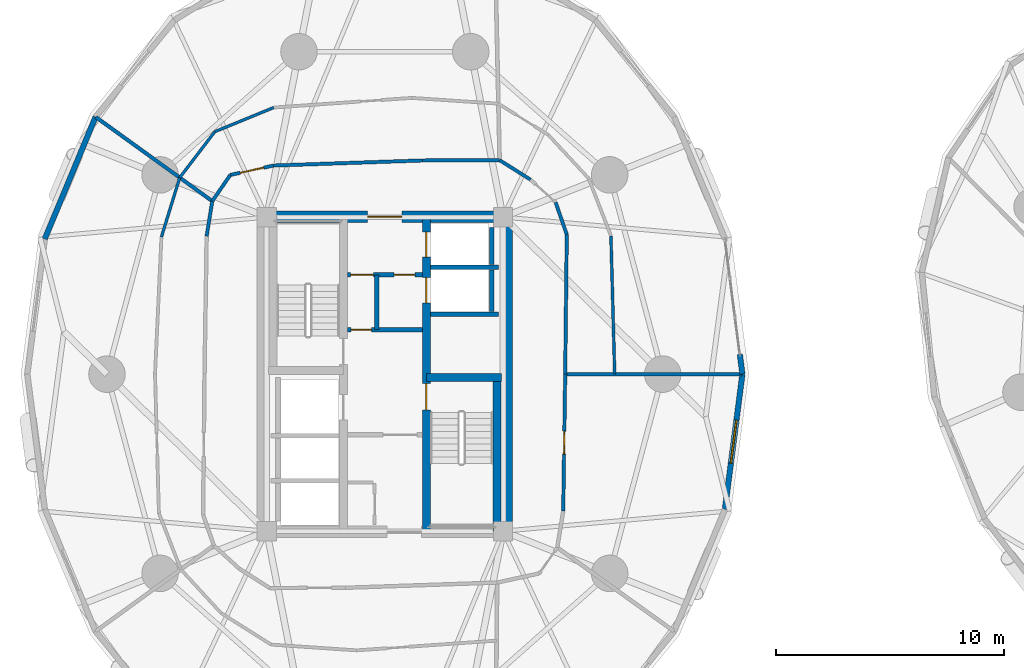
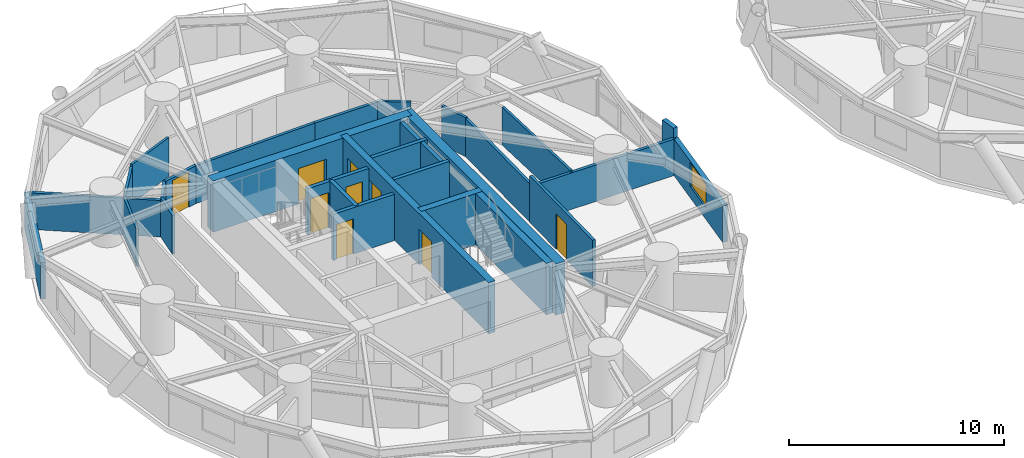
# One storey, part 10 of 17: 30 walls, 9 doors, 1 window, 10 openings.
"""IFC4 building model written with IfcOpenShell, lengths in metres."""

from ifc_helpers import new_model, si_unit, direction, frame, frame_2d, origin, place, context, subcontext, project, spatial, rectangle, extrude, source, transform, mapped, material, layer, layer_set, type_object, element, fill, save


model = new_model("IFC4")

# Units and contexts
model_context = context("Model", 3, precision=1e-05, world=origin(), true_north=direction((0.0, 1.0)))
body_context = subcontext(model_context, "Body", "Model", "MODEL_VIEW")
ifc_project = project(units=[si_unit("LENGTHUNIT", "METRE"), si_unit("AREAUNIT", "SQUARE_METRE"), si_unit("VOLUMEUNIT", "CUBIC_METRE"), si_unit("PLANEANGLEUNIT", "RADIAN"), si_unit("MASSUNIT", "GRAM", prefix="KILO")], contexts=[model_context])

# Site, building, storey
site_placement = place(None, origin())
site = spatial("IfcSite", under=ifc_project, at=site_placement, CompositionType="ELEMENT")
building_placement = place(site_placement, origin())
building = spatial("IfcBuilding", under=site, at=building_placement, Name="Cununo Teusaquillo Station Towers", CompositionType="ELEMENT")
storey_placement = place(building_placement, frame((0.0, 0.0, 59.830078125)))
storey = spatial("IfcBuildingStorey", under=building, at=storey_placement, Name="L18", CompositionType="ELEMENT", Elevation=59.830078125)

# Walls
ifc_material_1 = material(Name="Concrete C50/60", Category="concrete")
ifc_layer_1 = layer(ifc_material_1, 0.199951171875)
ifc_layer_set_1 = layer_set([ifc_layer_1], Name="Concrete C50/60")
wall_type_1 = type_object("IfcWallType", Name="WL-CORE-200", PredefinedType="SHEAR", material=ifc_layer_set_1)
for number, where, z_axis, x_axis, name in (
    (1, (18.510009765625, 27.1298828125, 0.0), (0.0, 0.0, 1.0), (1.0, 0.0, 0.0), "L18 Tower A Low-Rise Lift Hoistway South Shear Wall"),
    (2, (18.510009765625, 29.175048828125, 0.0), (0.0, 0.0, 1.0), (1.0, 0.0, 0.0), "L18 Tower A Low-Rise Lift Hoistway Divider Shear Wall"),
):
    element("IfcWall", number, at=place(storey_placement, frame(where, z_axis=z_axis, x_axis=x_axis)), inside=storey, type_object=wall_type_1, Name=name, PredefinedType="SHEAR", context=body_context, shape_type="SweptSolid", body=[
        extrude(rectangle(XDim=2.969970703125, YDim=0.199951171875, at=frame_2d((1.48486328125, 0.0))), origin(), (0.0, 0.0, 1.0), 2.909912109375),
    ])
wall_1_placement = place(storey_placement, frame((21.179931640625, 27.25, 0.0), z_axis=(0.0, 0.0, 1.0), x_axis=(0.0, 1.0, 0.0)))
element("IfcWall", 3, at=wall_1_placement, inside=storey, type_object=wall_type_1, Name="L18 Tower A Low-Rise Lift 1 Shaft Rear Shear Wall", PredefinedType="SHEAR", context=body_context, shape_type="SweptSolid", body=[
    extrude(rectangle(XDim=1.804931640625, YDim=0.199951171875, at=frame_2d((0.90234375, 0.0))), origin(), (0.0, 0.0, 1.0), 2.909912109375),
])
wall_2_placement = place(storey_placement, frame((21.179931640625, 29.294921875, 0.0), z_axis=(0.0, 0.0, 1.0), x_axis=(0.0, 1.0, 0.0)))
element("IfcWall", 4, at=wall_2_placement, inside=storey, type_object=wall_type_1, Name="L18 Tower A Low-Rise Lift 2 Shaft Rear Shear Wall", PredefinedType="SHEAR", context=body_context, shape_type="SweptSolid", body=[
    extrude(rectangle(XDim=1.635009765625, YDim=0.199951171875, at=frame_2d((0.8173828125, 0.0))), origin(), (0.0, 0.0, 1.0), 2.909912109375),
])

# Wall, openings, doors
ifc_material_2 = material(Name="Concrete C50/60", Category="concrete")
ifc_layer_2 = layer(ifc_material_2, 0.35009765625)
ifc_layer_set_2 = layer_set([ifc_layer_2], Name="Concrete C50/60")
wall_type_2 = type_object("IfcWallType", Name="WL-CORE-350", PredefinedType="SHEAR", material=ifc_layer_set_2)
wall_3_placement = place(storey_placement, frame((18.31494140625, 17.60009765625, 0.0), z_axis=(0.0, 0.0, 1.0), x_axis=(0.0, 1.0, 0.0)))
wall_3 = element("IfcWall", 5, at=wall_3_placement, inside=storey, type_object=wall_type_2, Name="L18 Tower A Core Shear Wall IE", PredefinedType="SHEAR", context=body_context, shape_type="SweptSolid", body=[
    extrude(rectangle(XDim=13.7998046875, YDim=0.35009765625, at=frame_2d((6.89990234375, 0.0))), origin(), (0.0, 0.0, 1.0), 2.909912109375),
])
shared_shape_1 = source(origin(), body_context, "Body", "SweptSolid", [
    extrude(rectangle(XDim=1.10009765625, YDim=2.014892578125, at=frame_2d((0.550048828125, 1.00732421875))), frame((0.0, 0.18505859375, 0.0), z_axis=(0.0, -1.0, 0.0), x_axis=(1.0, 0.0, 0.0)), (0.0, 0.0, 1.0), 0.3701171875),
])
opening_1_placement = place(wall_3_placement, frame((10.02490234375, 0.0, 0.0)))
opening_1 = element("IfcOpeningElement", 6, at=opening_1_placement, cuts=wall_3, Name="Opening LD-01", PredefinedType="OPENING", context=body_context, shape_type="MappedRepresentation", body=[
    mapped(shared_shape_1, transform((0.0, 0.0, 0.0), x_axis=(1.0, 0.0, 0.0), y_axis=(0.0, 1.0, 0.0), z_axis=(0.0, 0.0, 1.0), scale=1.0)),
])
opening_2_placement = place(wall_3_placement, frame((12.02490234375, 0.0, 0.0)))
opening_2 = element("IfcOpeningElement", 7, at=opening_2_placement, cuts=wall_3, Name="Opening LD-01", PredefinedType="OPENING", context=body_context, shape_type="MappedRepresentation", body=[
    mapped(shared_shape_1, transform((0.0, 0.0, 0.0), x_axis=(1.0, 0.0, 0.0), y_axis=(0.0, 1.0, 0.0), z_axis=(0.0, 0.0, 1.0), scale=1.0)),
])
shared_shape_2 = source(origin(), body_context, "Body", "SweptSolid", [
    extrude(rectangle(XDim=1.14990234375, YDim=2.02001953125, at=frame_2d((0.574951171875, 1.010009765625))), frame((0.0, 0.18505859375, 0.0), z_axis=(0.0, -1.0, 0.0), x_axis=(1.0, 0.0, 0.0)), (0.0, 0.0, 1.0), 0.3701171875),
])
opening_3_placement = place(wall_3_placement, frame((5.330078125, 0.0, 0.0)))
opening_3 = element("IfcOpeningElement", 8, at=opening_3_placement, cuts=wall_3, Name="Opening D-ST1", PredefinedType="OPENING", context=body_context, shape_type="MappedRepresentation", body=[
    mapped(shared_shape_2, transform((0.0, 0.0, 0.0), x_axis=(1.0, 0.0, 0.0), y_axis=(0.0, 1.0, 0.0), z_axis=(0.0, 0.0, 1.0), scale=1.0)),
])
ifc_material_3 = material(Name="Galvanised fire-rated hollow steel door assembly", Category="steel")
door_type_1 = type_object("IfcDoorType", Name="DR-LIFT-1100", OperationType="SLIDING_TO_LEFT", PredefinedType="DOOR", material=ifc_material_3)
shared_shape_3 = source(origin(), body_context, "Body", "SweptSolid", [
    extrude(rectangle(XDim=1.10009765625, YDim=2.014892578125, at=frame_2d((0.550048828125, 1.00732421875))), frame((0.0, 0.02490234375, 0.0), z_axis=(0.0, -1.0, 0.0), x_axis=(1.0, 0.0, 0.0)), (0.0, 0.0, 1.0), 0.050048828125),
])
door_1_placement = place(opening_1_placement, origin())
door_1 = element("IfcDoor", 9, at=door_1_placement, inside=storey, type_object=door_type_1, Name="L18 Lift PL-T1-L1 Sliding Landing Door", OperationType="SLIDING_TO_RIGHT", OverallHeight=2.014892578125, OverallWidth=1.10009765625, PredefinedType="DOOR", context=body_context, shape_type="MappedRepresentation", body=[
    mapped(shared_shape_3, transform((0.0, 0.0, 0.0), x_axis=(1.0, 0.0, 0.0), y_axis=(0.0, 1.0, 0.0), z_axis=(0.0, 0.0, 1.0), scale=1.0)),
])
fill(opening_1, door_1)
door_2_placement = place(opening_2_placement, origin())
door_2 = element("IfcDoor", 10, at=door_2_placement, inside=storey, type_object=door_type_1, Name="L18 Lift PL-T1-L2 Sliding Landing Door", OperationType="SLIDING_TO_LEFT", OverallHeight=2.014892578125, OverallWidth=1.10009765625, PredefinedType="DOOR", context=body_context, shape_type="MappedRepresentation", body=[
    mapped(shared_shape_3, transform((0.0, 0.0, 0.0), x_axis=(1.0, 0.0, 0.0), y_axis=(0.0, 1.0, 0.0), z_axis=(0.0, 0.0, 1.0), scale=1.0)),
])
fill(opening_2, door_2)
ifc_material_4 = material(Name="Galvanised fire-rated hollow steel door assembly", Category="steel")
door_type_2 = type_object("IfcDoorType", Name="DR-STAIR-1150", OperationType="NOTDEFINED", PredefinedType="DOOR", material=ifc_material_4)
shared_shape_4 = source(origin(), body_context, "Body", "SweptSolid", [
    extrude(rectangle(XDim=1.14990234375, YDim=2.02001953125, at=frame_2d((0.574951171875, 1.010009765625))), frame((0.0, 0.02490234375, 0.0), z_axis=(0.0, -1.0, 0.0), x_axis=(1.0, 0.0, 0.0)), (0.0, 0.0, 1.0), 0.050048828125),
])
door_3_placement = place(opening_3_placement, origin())
door_3 = element("IfcDoor", 11, at=door_3_placement, inside=storey, type_object=door_type_2, Name="L18 Tower A Exit Stair 2 Fire Door", OperationType="SINGLE_SWING_LEFT", OverallHeight=2.02001953125, OverallWidth=1.14990234375, PredefinedType="DOOR", context=body_context, shape_type="MappedRepresentation", body=[
    mapped(shared_shape_4, transform((0.0, 0.0, 0.0), x_axis=(1.0, 0.0, 0.0), y_axis=(0.0, 1.0, 0.0), z_axis=(0.0, 0.0, 1.0), scale=1.0)),
])
fill(opening_3, door_3)

# Walls
wall_4_placement = place(storey_placement, frame((21.405029296875, 17.60009765625, 0.0), z_axis=(0.0, 0.0, 1.0), x_axis=(0.0, 1.0, 0.0)))
element("IfcWall", 12, at=wall_4_placement, inside=storey, type_object=wall_type_2, Name="L18 Tower A Core Shear Wall ST2E", PredefinedType="SHEAR", context=body_context, shape_type="SweptSolid", body=[
    extrude(rectangle(XDim=6.744873046875, YDim=0.35009765625, at=frame_2d((3.37255859375, 0.0))), origin(), (0.0, 0.0, 1.0), 2.909912109375),
])
wall_5_placement = place(storey_placement, frame((18.31494140625, 24.344970703125, 0.0), z_axis=(0.0, 0.0, 1.0), x_axis=(1.0, 0.0, 0.0)))
element("IfcWall", 13, at=wall_5_placement, inside=storey, type_object=wall_type_2, Name="L18 Tower A Core Shear Wall ST2N", PredefinedType="SHEAR", context=body_context, shape_type="SweptSolid", body=[
    extrude(rectangle(XDim=3.28515625, YDim=0.35009765625, at=frame_2d((1.642578125, 0.0))), origin(), (0.0, 0.0, 1.0), 2.909912109375),
])
ifc_material_5 = material(Name="Concrete C60/75", Category="concrete")
ifc_layer_3 = layer(ifc_material_5, 0.5)
ifc_layer_set_3 = layer_set([ifc_layer_3], Name="Concrete C60/75")
wall_type_3 = type_object("IfcWallType", Name="WL-CORE-500", PredefinedType="SHEAR", material=ifc_layer_set_3)
wall_6_placement = place(storey_placement, frame((21.85009765625, 17.35009765625, 0.0), z_axis=(0.0, 0.0, 1.0), x_axis=(0.0, 1.0, 0.0)))
element("IfcWall", 14, at=wall_6_placement, inside=storey, type_object=wall_type_3, Name="L18 Tower A Core Shear Wall E", PredefinedType="SHEAR", context=body_context, shape_type="SweptSolid", body=[
    extrude(rectangle(XDim=14.2998046875, YDim=0.5, at=frame_2d((7.14990234375, 0.0))), origin(), (0.0, 0.0, 1.0), 2.909912109375),
])

# Wall, opening, door
wall_7_placement = place(storey_placement, frame((11.14990234375, 31.39990234375, 0.0), z_axis=(0.0, 0.0, 1.0), x_axis=(1.0, 0.0, 0.0)))
wall_7 = element("IfcWall", 15, at=wall_7_placement, inside=storey, type_object=wall_type_3, Name="L18 Tower A Core Shear Wall N", PredefinedType="SHEAR", context=body_context, shape_type="SweptSolid", body=[
    extrude(rectangle(XDim=10.7001953125, YDim=0.5, at=frame_2d((5.35009765625, 0.0))), origin(), (0.0, 0.0, 1.0), 2.909912109375),
])
shared_shape_5 = source(origin(), body_context, "Body", "SweptSolid", [
    extrude(rectangle(XDim=1.5, YDim=2.02001953125, at=frame_2d((0.75, 1.010009765625))), frame((0.0, 0.260009765625, 0.0), z_axis=(0.0, -1.0, 0.0), x_axis=(1.0, 0.0, 0.0)), (0.0, 0.0, 1.0), 0.52001953125),
])
opening_4_placement = place(wall_7_placement, frame((4.60009765625, 0.0, 0.0)))
opening_4 = element("IfcOpeningElement", 16, at=opening_4_placement, cuts=wall_7, Name="Opening D-LB1", PredefinedType="OPENING", context=body_context, shape_type="MappedRepresentation", body=[
    mapped(shared_shape_5, transform((0.0, 0.0, 0.0), x_axis=(1.0, 0.0, 0.0), y_axis=(0.0, 1.0, 0.0), z_axis=(0.0, 0.0, 1.0), scale=1.0)),
])
ifc_material_6 = material(Name="Galvanised fire-rated hollow steel door assembly", Category="steel")
door_type_3 = type_object("IfcDoorType", Name="DR-LOBBY-1500", OperationType="DOUBLE_DOOR_SINGLE_SWING", PredefinedType="DOOR", material=ifc_material_6)
shared_shape_6 = source(origin(), body_context, "Body", "SweptSolid", [
    extrude(rectangle(XDim=1.5, YDim=2.02001953125, at=frame_2d((0.75, 1.010009765625))), frame((0.0, 0.02490234375, 0.0), z_axis=(0.0, -1.0, 0.0), x_axis=(1.0, 0.0, 0.0)), (0.0, 0.0, 1.0), 0.050048828125),
])
door_4_placement = place(opening_4_placement, origin())
door_4 = element("IfcDoor", 17, at=door_4_placement, inside=storey, type_object=door_type_3, Name="L18 Tower A North Core Lift Lobby Door", OperationType="DOUBLE_DOOR_SINGLE_SWING", OverallHeight=2.02001953125, OverallWidth=1.5, PredefinedType="DOOR", context=body_context, shape_type="MappedRepresentation", body=[
    mapped(shared_shape_6, transform((0.0, 0.0, 0.0), x_axis=(1.0, 0.0, 0.0), y_axis=(0.0, 1.0, 0.0), z_axis=(0.0, 0.0, 1.0), scale=1.0)),
])
fill(opening_4, door_4)

# Walls
ifc_material_7 = material(Name="Precast concrete C40/50", Category="concrete")
ifc_layer_4 = layer(ifc_material_7, 0.239990234375)
ifc_layer_set_4 = layer_set([ifc_layer_4], Name="Precast concrete C40/50")
wall_type_4 = type_object("IfcWallType", Name="WL-EXT-240", PredefinedType="SOLIDWALL", material=ifc_layer_set_4)
wall_8_placement = place(storey_placement, frame((32.05126953125, 25.36279296875, 0.0), z_axis=(0.0, 0.0, 1.0), x_axis=(0.128523364007, -0.991706481225, 0.0)))
element("IfcWall", 18, at=wall_8_placement, inside=storey, type_object=wall_type_4, Name="L18 Tower A Column Pier Cladding Wall C00-PB", PredefinedType="SOLIDWALL", context=body_context, shape_type="SweptSolid", body=[
    extrude(rectangle(XDim=0.8701171875, YDim=0.239990234375, at=frame_2d((0.43505859375, 0.0))), origin(), (0.0, 0.0, 1.0), 2.635009765625),
])
wall_9_placement = place(storey_placement, frame((1.603515625, 30.423828125, 0.0), z_axis=(0.0, 0.0, 1.0), x_axis=(0.384348836956, 0.923187939442, 0.0)))
element("IfcWall", 19, at=wall_9_placement, inside=storey, type_object=wall_type_4, Name="L18 Tower A Exterior Facade Wall C08", PredefinedType="SOLIDWALL", context=body_context, shape_type="SweptSolid", body=[
    extrude(rectangle(XDim=5.78857421875, YDim=0.239990234375, at=frame_2d((2.894287109375, 0.0))), origin(), (0.0, 0.0, 1.0), 2.072998046875),
])

# Wall, opening, window
wall_10_placement = place(storey_placement, frame((32.1630859375, 24.5, 0.0), z_axis=(0.0, 0.0, 1.0), x_axis=(-0.128339641463, -0.991730274031, 0.0)))
wall_10 = element("IfcWall", 20, at=wall_10_placement, inside=storey, type_object=wall_type_4, Name="L18 Tower A Exterior Facade Wall C19", PredefinedType="SOLIDWALL", context=body_context, shape_type="SweptSolid", body=[
    extrude(rectangle(XDim=5.97314453125, YDim=0.239990234375, at=frame_2d((2.986572265625, 0.0))), origin(), (0.0, 0.0, 1.0), 2.072998046875),
])
shared_shape_7 = source(origin(), body_context, "Body", "SweptSolid", [
    extrude(rectangle(XDim=1.89990234375, YDim=1.35009765625, at=frame_2d((0.949951171875, 0.675048828125))), frame((0.0, 0.1298828125, 0.0), z_axis=(0.0, -1.0, 0.0), x_axis=(1.0, 0.0, 0.0)), (0.0, 0.0, 1.0), 0.260009765625),
])
opening_5_placement = place(wall_10_placement, frame((2.037109375, 0.0, 0.64990234375)))
opening_5 = element("IfcOpeningElement", 21, at=opening_5_placement, cuts=wall_10, Name="Opening WN-02", PredefinedType="OPENING", context=body_context, shape_type="MappedRepresentation", body=[
    mapped(shared_shape_7, transform((0.0, 0.0, 0.0), x_axis=(1.0, 0.0, 0.0), y_axis=(0.0, 1.0, 0.0), z_axis=(0.0, 0.0, 1.0), scale=1.0)),
])
ifc_material_8 = material(Name="Operable acoustic tinted low-E double glazing", Category="glass")
window_type = type_object("IfcWindowType", Name="WIN-OPER-1900", PartitioningType="DOUBLE_PANEL_VERTICAL", PredefinedType="WINDOW", material=ifc_material_8)
shared_shape_8 = source(origin(), body_context, "Body", "SweptSolid", [
    extrude(rectangle(XDim=1.89990234375, YDim=1.35009765625, at=frame_2d((0.949951171875, 0.675048828125))), frame((0.0, 0.030029296875, 0.0), z_axis=(0.0, -1.0, 0.0), x_axis=(1.0, 0.0, 0.0)), (0.0, 0.0, 1.0), 0.06005859375),
])
window_placement = place(opening_5_placement, origin())
window = element("IfcWindow", 22, at=window_placement, inside=storey, type_object=window_type, Name="L18 Tower A Facade Window C19", OverallHeight=1.35009765625, OverallWidth=1.89990234375, PartitioningType="DOUBLE_PANEL_VERTICAL", PredefinedType="WINDOW", context=body_context, shape_type="MappedRepresentation", body=[
    mapped(shared_shape_8, transform((0.0, 0.0, 0.0), x_axis=(1.0, 0.0, 0.0), y_axis=(0.0, 1.0, 0.0), z_axis=(0.0, 0.0, 1.0), scale=1.0)),
])
fill(opening_5, window)

# Walls
ifc_material_9 = material(Name="Fire-rated gypsum plasterboard partition assembly", Category="gypsum")
ifc_layer_5 = layer(ifc_material_9, 0.125)
ifc_layer_set_5 = layer_set([ifc_layer_5], Name="Fire-rated gypsum plasterboard partition assembly")
wall_type_5 = type_object("IfcWallType", Name="WL-PART-125", PredefinedType="PARTITIONING", material=ifc_layer_set_5)
wall_11_placement = place(storey_placement, frame((26.568115234375, 24.5, 0.0), z_axis=(0.0, 0.0, 1.0), x_axis=(-0.027187947422, 0.999630339433, 0.0)))
element("IfcWall", 23, at=wall_11_placement, inside=storey, type_object=wall_type_5, Name="L18 Tower A Hotel Sky Conservatory Lounge Concentric Partition Wall C00", PredefinedType="PARTITIONING", context=body_context, shape_type="SweptSolid", body=[
    extrude(rectangle(XDim=6.061279296875, YDim=0.125, at=frame_2d((3.03076171875, 0.0))), origin(), (0.0, 0.0, 1.0), 2.158935546875),
])
wall_12_placement = place(storey_placement, frame((11.6328125, 36.17822265625, 0.0), z_axis=(0.0, 0.0, 1.0), x_axis=(-0.92528752303, -0.379266396779, 0.0)))
element("IfcWall", 24, at=wall_12_placement, inside=storey, type_object=wall_type_5, Name="L18 Tower A Hotel Private Banquet Salon Concentric Partition Wall C06", PredefinedType="PARTITIONING", context=body_context, shape_type="SweptSolid", body=[
    extrude(rectangle(XDim=2.79052734375, YDim=0.125, at=frame_2d((1.395263671875, 0.0))), origin(), (0.0, 0.0, 1.0), 2.204833984375),
])
wall_13_placement = place(storey_placement, frame((9.05078125, 35.119873046875, 0.0), z_axis=(0.0, 0.0, 1.0), x_axis=(-0.607256827378, -0.79450559822, 0.0)))
element("IfcWall", 25, at=wall_13_placement, inside=storey, type_object=wall_type_5, Name="L18 Tower A Hotel Private Banquet Salon Concentric Partition Wall C07", PredefinedType="PARTITIONING", context=body_context, shape_type="SweptSolid", body=[
    extrude(rectangle(XDim=2.531982421875, YDim=0.125, at=frame_2d((1.26611328125, 0.0))), origin(), (0.0, 0.0, 1.0), 2.072998046875),
])
wall_14_placement = place(storey_placement, frame((7.51318359375, 33.108154296875, 0.0), z_axis=(0.0, 0.0, 1.0), x_axis=(-0.294167851511, -0.955753773279, 0.0)))
element("IfcWall", 26, at=wall_14_placement, inside=storey, type_object=wall_type_5, Name="L18 Tower A Hotel Concierge & Library Club Concentric Partition Wall C08", PredefinedType="PARTITIONING", context=body_context, shape_type="SweptSolid", body=[
    extrude(rectangle(XDim=2.7197265625, YDim=0.125, at=frame_2d((1.35986328125, 0.0))), origin(), (0.0, 0.0, 1.0), 2.158935546875),
])
ifc_material_10 = material(Name="Fire-rated gypsum plasterboard partition assembly", Category="gypsum")
ifc_layer_6 = layer(ifc_material_10, 0.14990234375)
ifc_layer_set_6 = layer_set([ifc_layer_6], Name="Fire-rated gypsum plasterboard partition assembly")
wall_type_6 = type_object("IfcWallType", Name="WL-PART-150", PredefinedType="PARTITIONING", material=ifc_layer_set_6)
wall_15_placement = place(storey_placement, frame((24.39990234375, 24.5, 0.0), z_axis=(0.0, 0.0, 1.0), x_axis=(0.011299841544, 0.999936154752, 0.0)))
element("IfcWall", 27, at=wall_15_placement, inside=storey, type_object=wall_type_6, Name="L18 Tower A Corridor Ring Wall C00", PredefinedType="PARTITIONING", context=body_context, shape_type="SweptSolid", body=[
    extrude(rectangle(XDim=6.114501953125, YDim=0.14990234375, at=frame_2d((3.05712890625, 0.0))), origin(), (0.0, 0.0, 1.0), 2.158935546875),
])
wall_16_placement = place(storey_placement, frame((24.468994140625, 30.614013671875, 0.0), z_axis=(0.0, 0.0, 1.0), x_axis=(-0.327228335485, 0.944945298129, 0.0)))
element("IfcWall", 28, at=wall_16_placement, inside=storey, type_object=wall_type_6, Name="L18 Tower A Corridor Ring Wall C01", PredefinedType="PARTITIONING", context=body_context, shape_type="SweptSolid", body=[
    extrude(rectangle(XDim=1.4951171875, YDim=0.14990234375, at=frame_2d((0.74755859375, 0.0))), origin(), (0.0, 0.0, 1.0), 2.204833984375),
])
wall_17_placement = place(storey_placement, frame((22.87744140625, 33.021728515625, 0.0), z_axis=(0.0, 0.0, 1.0), x_axis=(-0.845895608855, 0.533348496689, 0.0)))
element("IfcWall", 29, at=wall_17_placement, inside=storey, type_object=wall_type_6, Name="L18 Tower A Corridor Ring Wall C03", PredefinedType="PARTITIONING", context=body_context, shape_type="SweptSolid", body=[
    extrude(rectangle(XDim=1.5966796875, YDim=0.14990234375, at=frame_2d((0.79833984375, 0.0))), origin(), (0.0, 0.0, 1.0), 2.204833984375),
])
wall_18_placement = place(storey_placement, frame((21.52685546875, 33.873291015625, 0.0), z_axis=(0.0, 0.0, 1.0), x_axis=(-0.999991838845, -0.004040079574, 0.0)))
element("IfcWall", 30, at=wall_18_placement, inside=storey, type_object=wall_type_6, Name="L18 Tower A Corridor Ring Wall C04", PredefinedType="PARTITIONING", context=body_context, shape_type="SweptSolid", body=[
    extrude(rectangle(XDim=3.384033203125, YDim=0.14990234375, at=frame_2d((1.69189453125, 0.0))), origin(), (0.0, 0.0, 1.0), 2.158935546875),
])
wall_19_placement = place(storey_placement, frame((18.142822265625, 33.859619140625, 0.0), z_axis=(0.0, 0.0, 1.0), x_axis=(-0.999419208319, -0.034077060363, 0.0)))
element("IfcWall", 31, at=wall_19_placement, inside=storey, type_object=wall_type_6, Name="L18 Tower A Corridor Ring Wall C05", PredefinedType="PARTITIONING", context=body_context, shape_type="SweptSolid", body=[
    extrude(rectangle(XDim=6.52685546875, YDim=0.14990234375, at=frame_2d((3.263427734375, 0.0))), origin(), (0.0, 0.0, 1.0), 2.158935546875),
])

# Wall, opening, door
wall_20_placement = place(storey_placement, frame((11.619873046875, 33.63720703125, 0.0), z_axis=(0.0, 0.0, 1.0), x_axis=(-0.97702579435, -0.213121085711, 0.0)))
wall_20 = element("IfcWall", 32, at=wall_20_placement, inside=storey, type_object=wall_type_6, Name="L18 Tower A Corridor Ring Wall C06", PredefinedType="PARTITIONING", context=body_context, shape_type="SweptSolid", body=[
    extrude(rectangle(XDim=1.934814453125, YDim=0.14990234375, at=frame_2d((0.96728515625, 0.0))), origin(), (0.0, 0.0, 1.0), 2.158935546875),
])
shared_shape_9 = source(origin(), body_context, "Body", "SweptSolid", [
    extrude(rectangle(XDim=1.050048828125, YDim=2.014892578125, at=frame_2d((0.52490234375, 1.00732421875))), frame((0.0, 0.0849609375, 0.0), z_axis=(0.0, -1.0, 0.0), x_axis=(1.0, 0.0, 0.0)), (0.0, 0.0, 1.0), 0.169921875),
])
opening_6_placement = place(wall_20_placement, frame((0.4423828125, 0.0, 0.0)))
opening_6 = element("IfcOpeningElement", 33, at=opening_6_placement, cuts=wall_20, Name="Opening D-SU1", PredefinedType="OPENING", context=body_context, shape_type="MappedRepresentation", body=[
    mapped(shared_shape_9, transform((0.0, 0.0, 0.0), x_axis=(1.0, 0.0, 0.0), y_axis=(0.0, 1.0, 0.0), z_axis=(0.0, 0.0, 1.0), scale=1.0)),
])
ifc_material_11 = material(Name="Acoustic solid-core hardwood leaf assembly", Category="wood")
door_type_4 = type_object("IfcDoorType", Name="DR-SUITE-1050", OperationType="NOTDEFINED", PredefinedType="DOOR", material=ifc_material_11)
shared_shape_10 = source(origin(), body_context, "Body", "SweptSolid", [
    extrude(rectangle(XDim=1.050048828125, YDim=2.014892578125, at=frame_2d((0.52490234375, 1.00732421875))), frame((0.0, 0.02490234375, 0.0), z_axis=(0.0, -1.0, 0.0), x_axis=(1.0, 0.0, 0.0)), (0.0, 0.0, 1.0), 0.050048828125),
])
door_5_placement = place(opening_6_placement, origin())
door_5 = element("IfcDoor", 34, at=door_5_placement, inside=storey, type_object=door_type_4, Name="L18 Tower A Hotel Private Banquet Salon Entrance Door", OperationType="SINGLE_SWING_RIGHT", OverallHeight=2.014892578125, OverallWidth=1.050048828125, PredefinedType="DOOR", context=body_context, shape_type="MappedRepresentation", body=[
    mapped(shared_shape_10, transform((0.0, 0.0, 0.0), x_axis=(1.0, 0.0, 0.0), y_axis=(0.0, 1.0, 0.0), z_axis=(0.0, 0.0, 1.0), scale=1.0)),
])
fill(opening_6, door_5)

# Walls
wall_21_placement = place(storey_placement, frame((9.7294921875, 33.224853515625, 0.0), z_axis=(0.0, 0.0, 1.0), x_axis=(-0.567183649484, -0.82359134755, 0.0)))
element("IfcWall", 35, at=wall_21_placement, inside=storey, type_object=wall_type_6, Name="L18 Tower A Corridor Ring Wall C07", PredefinedType="PARTITIONING", context=body_context, shape_type="SweptSolid", body=[
    extrude(rectangle(XDim=1.39208984375, YDim=0.14990234375, at=frame_2d((0.696044921875, 0.0))), origin(), (0.0, 0.0, 1.0), 2.158935546875),
])
wall_22_placement = place(storey_placement, frame((8.93994140625, 32.078369140625, 0.0), z_axis=(0.0, 0.0, 1.0), x_axis=(-0.159148467753, -0.98725466077, 0.0)))
element("IfcWall", 36, at=wall_22_placement, inside=storey, type_object=wall_type_6, Name="L18 Tower A Corridor Ring Wall C08", PredefinedType="PARTITIONING", context=body_context, shape_type="SweptSolid", body=[
    extrude(rectangle(XDim=1.553955078125, YDim=0.14990234375, at=frame_2d((0.77685546875, 0.0))), origin(), (0.0, 0.0, 1.0), 2.204833984375),
])

# Wall, opening, door
wall_23_placement = place(storey_placement, frame((24.3134765625, 18.496337890625, 0.0), z_axis=(0.0, 0.0, 1.0), x_axis=(0.014394019188, 0.999896400739, 0.0)))
wall_23 = element("IfcWall", 37, at=wall_23_placement, inside=storey, type_object=wall_type_6, Name="L18 Tower A Corridor Ring Wall C19", PredefinedType="PARTITIONING", context=body_context, shape_type="SweptSolid", body=[
    extrude(rectangle(XDim=6.00439453125, YDim=0.14990234375, at=frame_2d((3.002197265625, 0.0))), origin(), (0.0, 0.0, 1.0), 2.635009765625),
])
shared_shape_11 = source(origin(), body_context, "Body", "SweptSolid", [
    extrude(rectangle(XDim=1.0, YDim=2.014892578125, at=frame_2d((0.5, 1.00732421875))), frame((0.0, 0.0849609375, 0.0), z_axis=(0.0, -1.0, 0.0), x_axis=(1.0, 0.0, 0.0)), (0.0, 0.0, 1.0), 0.169921875),
])
opening_7_placement = place(wall_23_placement, frame((2.502197265625, 0.0, 0.0)))
opening_7 = element("IfcOpeningElement", 38, at=opening_7_placement, cuts=wall_23, Name="Opening D-AC1", PredefinedType="OPENING", context=body_context, shape_type="MappedRepresentation", body=[
    mapped(shared_shape_11, transform((0.0, 0.0, 0.0), x_axis=(1.0, 0.0, 0.0), y_axis=(0.0, 1.0, 0.0), z_axis=(0.0, 0.0, 1.0), scale=1.0)),
])
ifc_material_12 = material(Name="Acoustic solid-core hardwood leaf assembly", Category="wood")
door_type_5 = type_object("IfcDoorType", Name="DR-ACC-1000", OperationType="NOTDEFINED", PredefinedType="DOOR", material=ifc_material_12)
shared_shape_12 = source(origin(), body_context, "Body", "SweptSolid", [
    extrude(rectangle(XDim=1.0, YDim=2.014892578125, at=frame_2d((0.5, 1.00732421875))), frame((0.0, 0.02490234375, 0.0), z_axis=(0.0, -1.0, 0.0), x_axis=(1.0, 0.0, 0.0)), (0.0, 0.0, 1.0), 0.050048828125),
])
door_6_placement = place(opening_7_placement, origin())
door_6 = element("IfcDoor", 39, at=door_6_placement, inside=storey, type_object=door_type_5, Name="L18 Tower A Public Accessible Restroom WC Entrance Door", OperationType="SINGLE_SWING_LEFT", OverallHeight=2.014892578125, OverallWidth=1.0, PredefinedType="DOOR", context=body_context, shape_type="MappedRepresentation", body=[
    mapped(shared_shape_12, transform((0.0, 0.0, 0.0), x_axis=(1.0, 0.0, 0.0), y_axis=(0.0, 1.0, 0.0), z_axis=(0.0, 0.0, 1.0), scale=1.0)),
])
fill(opening_7, door_6)

# Walls
ifc_material_13 = material(Name="Fire-rated gypsum plasterboard partition assembly", Category="gypsum")
ifc_layer_7 = layer(ifc_material_13, 0.159912109375)
ifc_layer_set_7 = layer_set([ifc_layer_7], Name="Fire-rated gypsum plasterboard partition assembly")
wall_type_7 = type_object("IfcWallType", Name="WL-PART-160", PredefinedType="PARTITIONING", material=ifc_layer_set_7)
wall_24_placement = place(storey_placement, frame((24.39990234375, 24.5, 0.0), z_axis=(0.0, 0.0, 1.0), x_axis=(1.0, 0.0, 0.0)))
element("IfcWall", 40, at=wall_24_placement, inside=storey, type_object=wall_type_7, Name="L18 Tower A Radial Suite Partition R01", PredefinedType="PARTITIONING", context=body_context, shape_type="SweptSolid", body=[
    extrude(rectangle(XDim=7.7431640625, YDim=0.159912109375, at=frame_2d((3.87158203125, 0.0))), origin(), (0.0, 0.0, 1.0), 2.072998046875),
])
wall_25_placement = place(storey_placement, frame((8.93994140625, 32.078369140625, 0.0), z_axis=(0.0, 0.0, 1.0), x_axis=(-0.810854375189, 0.585247966453, 0.0)))
element("IfcWall", 41, at=wall_25_placement, inside=storey, type_object=wall_type_7, Name="L18 Tower A Radial Suite Partition R03", PredefinedType="PARTITIONING", context=body_context, shape_type="SweptSolid", body=[
    extrude(rectangle(XDim=6.2841796875, YDim=0.159912109375, at=frame_2d((3.14208984375, 0.0))), origin(), (0.0, 0.0, 1.0), 2.072998046875),
])

# Wall, opening, door
ifc_material_14 = material(Name="Fire-rated gypsum plasterboard partition assembly", Category="gypsum")
ifc_layer_8 = layer(ifc_material_14, 0.199951171875)
ifc_layer_set_8 = layer_set([ifc_layer_8], Name="Fire-rated gypsum plasterboard partition assembly")
wall_type_8 = type_object("IfcWallType", Name="WL-PART-200", PredefinedType="PARTITIONING", material=ifc_layer_set_8)
wall_26_placement = place(storey_placement, frame((14.860107421875, 26.449951171875, 0.0), z_axis=(0.0, 0.0, 1.0), x_axis=(1.0, 0.0, 0.0)))
wall_26 = element("IfcWall", 42, at=wall_26_placement, inside=storey, type_object=wall_type_8, Name="L18 Tower A Firefighting Lift Lobby North Fire Wall", PredefinedType="PARTITIONING", context=body_context, shape_type="SweptSolid", body=[
    extrude(rectangle(XDim=3.27978515625, YDim=0.199951171875, at=frame_2d((1.639892578125, 0.0))), origin(), (0.0, 0.0, 1.0), 2.635009765625),
])
shared_shape_13 = source(origin(), body_context, "Body", "SweptSolid", [
    extrude(rectangle(XDim=0.89990234375, YDim=2.0048828125, at=frame_2d((0.449951171875, 1.00244140625))), frame((0.0, 0.10986328125, 0.0), z_axis=(0.0, -1.0, 0.0), x_axis=(1.0, 0.0, 0.0)), (0.0, 0.0, 1.0), 0.219970703125),
])
opening_8_placement = place(wall_26_placement, frame((0.159912109375, 0.0, 0.0)))
opening_8 = element("IfcOpeningElement", 43, at=opening_8_placement, cuts=wall_26, Name="Opening D-SR1", PredefinedType="OPENING", context=body_context, shape_type="MappedRepresentation", body=[
    mapped(shared_shape_13, transform((0.0, 0.0, 0.0), x_axis=(1.0, 0.0, 0.0), y_axis=(0.0, 1.0, 0.0), z_axis=(0.0, 0.0, 1.0), scale=1.0)),
])
ifc_material_15 = material(Name="Galvanised fire-rated hollow steel door assembly", Category="steel")
door_type_6 = type_object("IfcDoorType", Name="DR-STORE-900", OperationType="NOTDEFINED", PredefinedType="DOOR", material=ifc_material_15)
shared_shape_14 = source(origin(), body_context, "Body", "SweptSolid", [
    extrude(rectangle(XDim=0.89990234375, YDim=2.0048828125, at=frame_2d((0.449951171875, 1.00244140625))), frame((0.0, 0.02490234375, 0.0), z_axis=(0.0, -1.0, 0.0), x_axis=(1.0, 0.0, 0.0)), (0.0, 0.0, 1.0), 0.050048828125),
])
door_7_placement = place(opening_8_placement, origin())
door_7 = element("IfcDoor", 44, at=door_7_placement, inside=storey, type_object=door_type_6, Name="L18 Tower A Stair 1 Protected Vestibule South Door", OperationType="SINGLE_SWING_RIGHT", OverallHeight=2.0048828125, OverallWidth=0.89990234375, PredefinedType="DOOR", context=body_context, shape_type="MappedRepresentation", body=[
    mapped(shared_shape_14, transform((0.0, 0.0, 0.0), x_axis=(1.0, 0.0, 0.0), y_axis=(0.0, 1.0, 0.0), z_axis=(0.0, 0.0, 1.0), scale=1.0)),
])
fill(opening_8, door_7)

# Wall
wall_27_placement = place(storey_placement, frame((16.14990234375, 26.449951171875, 0.0), z_axis=(0.0, 0.0, 1.0), x_axis=(0.0, 1.0, 0.0)))
element("IfcWall", 45, at=wall_27_placement, inside=storey, type_object=wall_type_8, Name="L18 Tower A Stair 1 Vestibule Partition Wall", PredefinedType="PARTITIONING", context=body_context, shape_type="SweptSolid", body=[
    extrude(rectangle(XDim=2.400146484375, YDim=0.199951171875, at=frame_2d((1.2001953125, 0.0))), origin(), (0.0, 0.0, 1.0), 2.635009765625),
])

# Wall, openings, doors
wall_28_placement = place(storey_placement, frame((14.860107421875, 28.85009765625, 0.0), z_axis=(0.0, 0.0, 1.0), x_axis=(1.0, 0.0, 0.0)))
wall_28 = element("IfcWall", 46, at=wall_28_placement, inside=storey, type_object=wall_type_8, Name="L18 Tower A North Lift Lobby South Fire Wall", PredefinedType="PARTITIONING", context=body_context, shape_type="SweptSolid", body=[
    extrude(rectangle(XDim=3.27978515625, YDim=0.199951171875, at=frame_2d((1.639892578125, 0.0))), origin(), (0.0, 0.0, 1.0), 2.635009765625),
])
shared_shape_15 = source(origin(), body_context, "Body", "SweptSolid", [
    extrude(rectangle(XDim=1.0, YDim=2.014892578125, at=frame_2d((0.5, 1.00732421875))), frame((0.0, 0.10986328125, 0.0), z_axis=(0.0, -1.0, 0.0), x_axis=(1.0, 0.0, 0.0)), (0.0, 0.0, 1.0), 0.219970703125),
])
opening_9_placement = place(wall_28_placement, frame((0.139892578125, 0.0, 0.0)))
opening_9 = element("IfcOpeningElement", 47, at=opening_9_placement, cuts=wall_28, Name="Opening D-AC1", PredefinedType="OPENING", context=body_context, shape_type="MappedRepresentation", body=[
    mapped(shared_shape_15, transform((0.0, 0.0, 0.0), x_axis=(1.0, 0.0, 0.0), y_axis=(0.0, 1.0, 0.0), z_axis=(0.0, 0.0, 1.0), scale=1.0)),
])
opening_10_placement = place(wall_28_placement, frame((2.050048828125, 0.0, 0.0)))
opening_10 = element("IfcOpeningElement", 48, at=opening_10_placement, cuts=wall_28, Name="Opening D-SR1", PredefinedType="OPENING", context=body_context, shape_type="MappedRepresentation", body=[
    mapped(shared_shape_13, transform((0.0, 0.0, 0.0), x_axis=(1.0, 0.0, 0.0), y_axis=(0.0, 1.0, 0.0), z_axis=(0.0, 0.0, 1.0), scale=1.0)),
])
door_8_placement = place(opening_10_placement, origin())
door_8 = element("IfcDoor", 49, at=door_8_placement, inside=storey, type_object=door_type_6, Name="L18 Tower A Core Housekeeping & Linen Store Door", OperationType="SINGLE_SWING_LEFT", OverallHeight=2.0048828125, OverallWidth=0.89990234375, PredefinedType="DOOR", context=body_context, shape_type="MappedRepresentation", body=[
    mapped(shared_shape_14, transform((0.0, 0.0, 0.0), x_axis=(1.0, 0.0, 0.0), y_axis=(0.0, 1.0, 0.0), z_axis=(0.0, 0.0, 1.0), scale=1.0)),
])
fill(opening_10, door_8)
door_9_placement = place(opening_9_placement, origin())
door_9 = element("IfcDoor", 50, at=door_9_placement, inside=storey, type_object=door_type_5, Name="L18 Tower A North Lift Lobby to Stair 1 Vestibule Door", OperationType="SINGLE_SWING_LEFT", OverallHeight=2.014892578125, OverallWidth=1.0, PredefinedType="DOOR", context=body_context, shape_type="MappedRepresentation", body=[
    mapped(shared_shape_12, transform((0.0, 0.0, 0.0), x_axis=(1.0, 0.0, 0.0), y_axis=(0.0, 1.0, 0.0), z_axis=(0.0, 0.0, 1.0), scale=1.0)),
])
fill(opening_9, door_9)

save(model, "model.ifc")
